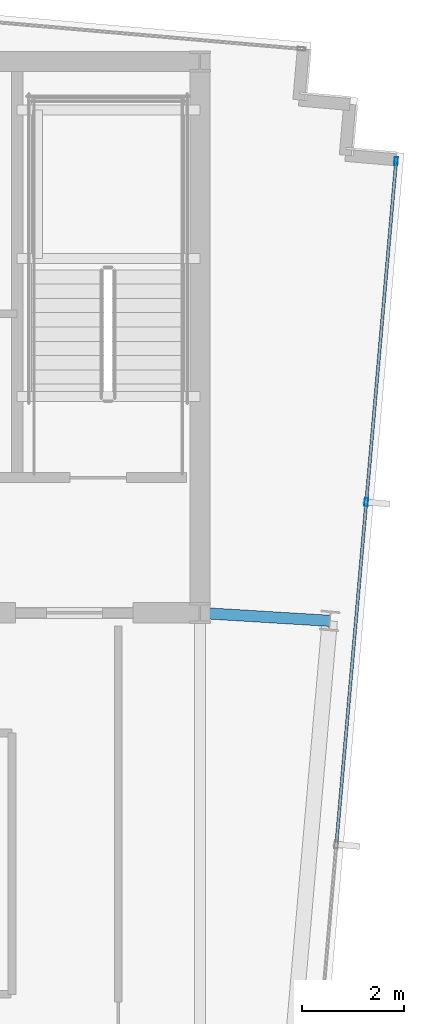
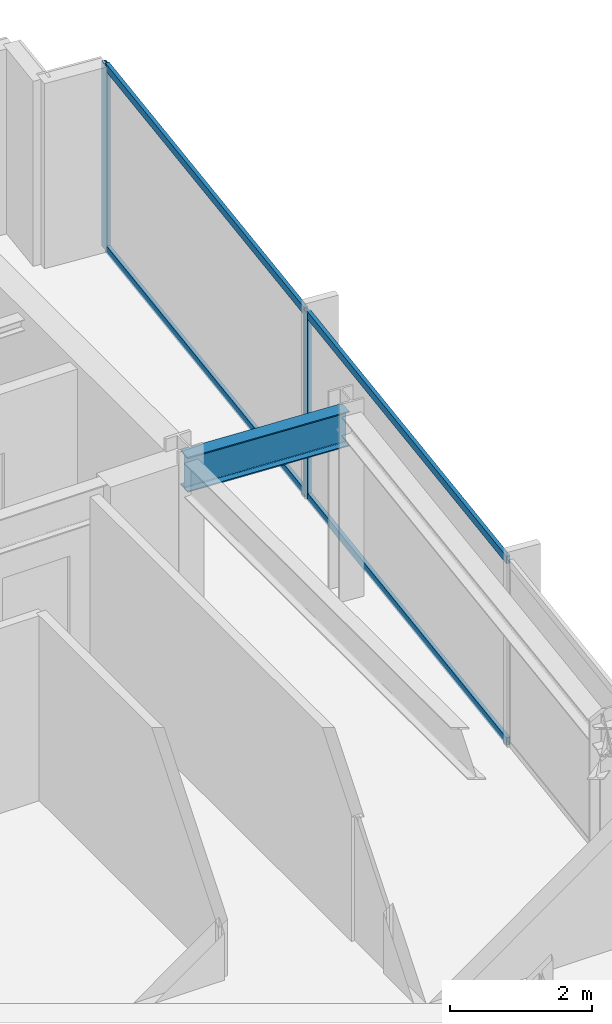
# One storey, part 21 of 32: 6 members, 1 beam, 1 element without a shape of its own.
"""IFC4 building model written with IfcOpenShell, lengths in metres."""

from ifc_helpers import new_model, si_unit, direction, frame, origin, origin_2d, place, context, subcontext, project, spatial, hollow_rectangle, i_section, extrude, material, material_profile, profile_set, type_object, element, aggregate, save


model = new_model("IFC4")

# Units and contexts
model_context = context("Model", 3, precision=1e-05, world=origin(), true_north=direction((0.0, 1.0)))
body_context = subcontext(model_context, "Body", "Model", "MODEL_VIEW")
ifc_project = project(units=[si_unit("LENGTHUNIT", "METRE"), si_unit("AREAUNIT", "SQUARE_METRE"), si_unit("VOLUMEUNIT", "CUBIC_METRE"), si_unit("PLANEANGLEUNIT", "RADIAN"), si_unit("MASSUNIT", "GRAM", prefix="KILO")], contexts=[model_context])

# Site, building, storey
site_placement = place(None, origin())
site = spatial("IfcSite", under=ifc_project, at=site_placement, CompositionType="ELEMENT")
building_placement = place(site_placement, origin())
building = spatial("IfcBuilding", under=site, at=building_placement, Name="Yelkora Congress Tower", CompositionType="ELEMENT")
storey_placement = place(building_placement, frame((0.0, 0.0, 262.5)))
storey = spatial("IfcBuildingStorey", under=building, at=storey_placement, Name="L73", CompositionType="ELEMENT", Elevation=262.5)

# Beam
ifc_material_1 = material(Name="Steel S355J2", Category="steel")
ifc_material_profile_1 = material_profile(ifc_material_1, i_section(OverallWidth=0.219970703125, OverallDepth=0.60009765625, WebThickness=0.011962890625, FlangeThickness=0.01904296875, FilletRadius=0.02392578125, at=origin_2d()), Name="IPE 600")
ifc_profile_set_1 = profile_set([ifc_material_profile_1], Name="Steel S355J2")
beam_type = type_object("IfcBeamType", Name="BM-GIRD-IPE600", PredefinedType="BEAM", material=ifc_profile_set_1)
beam_placement = place(storey_placement, frame((56.302001953125, 35.24560546875, 2.8798828125), z_axis=(-0.99816287892, 0.060587681471, 0.0), x_axis=(-0.060587681471, -0.99816287892, 0.0)))
element("IfcBeam", 1, at=beam_placement, inside=storey, type_object=beam_type, Name="L73 Primary Frame Girder E02", PredefinedType="BEAM", context=body_context, shape_type="SweptSolid", body=[
    extrude(i_section(OverallWidth=0.219970703125, OverallDepth=0.60009765625, WebThickness=0.011962890625, FlangeThickness=0.01904296875, FilletRadius=0.02392578125, at=origin_2d()), origin(), (0.0, 0.0, 1.0), 2.546630859375),
])

# Curtain wall, members
ifc_material_2 = material(Name="Anodised aluminium and insulated glass", Category="aluminium")
curtain_wall_type = type_object("IfcCurtainWallType", Name="CW-SYS-B5", PredefinedType="NOTDEFINED", material=ifc_material_2)
curtain_wall_placement = place(storey_placement, origin())
curtain_wall = element("IfcCurtainWall", 2, at=curtain_wall_placement, inside=storey, type_object=curtain_wall_type, Name="L73 Unitised Curtain Wall 15", PredefinedType="NOTDEFINED")
ifc_material_3 = material(Name="Anodised aluminium 6063-T6", Category="aluminium")
ifc_material_profile_2 = material_profile(ifc_material_3, hollow_rectangle(XDim=0.06494140625, YDim=0.159912109375, WallThickness=0.00390625, at=origin_2d()), Name="ALU 65x160x4")
ifc_profile_set_2 = profile_set([ifc_material_profile_2], Name="Anodised aluminium 6063-T6")
member_type_1 = type_object("IfcMemberType", Name="MEM-ML-B5", PredefinedType="MULLION", material=ifc_profile_set_2)
member_1_placement = place(storey_placement, frame((57.601318359375, 44.243896484375, 0.0), z_axis=(0.0, 0.0, 1.0), x_axis=(0.996194463398, -0.087158425264, 0.0)))
member_1 = element("IfcMember", 3, at=member_1_placement, type_object=member_type_1, Name="CW-B5 mullion 1", PredefinedType="MULLION", context=body_context, shape_type="SweptSolid", body=[
    extrude(hollow_rectangle(XDim=0.06494140625, YDim=0.159912109375, WallThickness=0.00390625, at=origin_2d()), origin(), (0.0, 0.0, 1.0), 3.179931640625),
])
member_2_placement = place(storey_placement, frame((57.017578125, 37.572021484375, 0.0), z_axis=(0.0, 0.0, 1.0), x_axis=(0.996194463398, -0.087158425264, 0.0)))
member_2 = element("IfcMember", 4, at=member_2_placement, type_object=member_type_1, Name="CW-B5 mullion 2", PredefinedType="MULLION", context=body_context, shape_type="SweptSolid", body=[
    extrude(hollow_rectangle(XDim=0.06494140625, YDim=0.159912109375, WallThickness=0.00390625, at=origin_2d()), origin(), (0.0, 0.0, 1.0), 3.179931640625),
])
ifc_material_profile_3 = material_profile(ifc_material_3, hollow_rectangle(XDim=0.06005859375, YDim=0.1298828125, WallThickness=0.00390625, at=origin_2d()), Name="ALU 60x130x4")
ifc_profile_set_3 = profile_set([ifc_material_profile_3], Name="Anodised aluminium 6063-T6")
member_type_2 = type_object("IfcMemberType", Name="MEM-TR-B5", PredefinedType="USERDEFINED", material=ifc_profile_set_3)
member_3_placement = place(storey_placement, frame((57.598388671875, 44.21142578125, 0.030029296875), z_axis=(-0.08716649365, -0.996193757451, 0.0), x_axis=(0.996193757451, -0.08716649365, 0.0)))
member_3 = element("IfcMember", 5, at=member_3_placement, type_object=member_type_2, Name="CW-B5 transom 1.1", ObjectType="TRANSOM", PredefinedType="USERDEFINED", context=body_context, shape_type="SweptSolid", body=[
    extrude(hollow_rectangle(XDim=0.06005859375, YDim=0.1298828125, WallThickness=0.00390625, at=origin_2d()), origin(), (0.0, 0.0, 1.0), 6.63232421875),
])
member_4_placement = place(storey_placement, frame((57.598388671875, 44.21142578125, 3.14990234375), z_axis=(-0.08716649365, -0.996193757451, 0.0), x_axis=(0.996193757451, -0.08716649365, 0.0)))
member_4 = element("IfcMember", 6, at=member_4_placement, type_object=member_type_2, Name="CW-B5 transom 1.2", ObjectType="TRANSOM", PredefinedType="USERDEFINED", context=body_context, shape_type="SweptSolid", body=[
    extrude(hollow_rectangle(XDim=0.06005859375, YDim=0.1298828125, WallThickness=0.00390625, at=origin_2d()), origin(), (0.0, 0.0, 1.0), 6.63232421875),
])
member_5_placement = place(storey_placement, frame((57.0146484375, 37.53955078125, 0.030029296875), z_axis=(-0.087143321513, -0.996195784731, 0.0), x_axis=(0.996195784731, -0.087143321513, 0.0)))
member_5 = element("IfcMember", 7, at=member_5_placement, type_object=member_type_2, Name="CW-B5 transom 2.1", ObjectType="TRANSOM", PredefinedType="USERDEFINED", context=body_context, shape_type="SweptSolid", body=[
    extrude(hollow_rectangle(XDim=0.06005859375, YDim=0.1298828125, WallThickness=0.00390625, at=origin_2d()), origin(), (0.0, 0.0, 1.0), 6.6650390625),
])
member_6_placement = place(storey_placement, frame((57.0146484375, 37.53955078125, 3.14990234375), z_axis=(-0.087143321513, -0.996195784731, 0.0), x_axis=(0.996195784731, -0.087143321513, 0.0)))
member_6 = element("IfcMember", 8, at=member_6_placement, type_object=member_type_2, Name="CW-B5 transom 2.2", ObjectType="TRANSOM", PredefinedType="USERDEFINED", context=body_context, shape_type="SweptSolid", body=[
    extrude(hollow_rectangle(XDim=0.06005859375, YDim=0.1298828125, WallThickness=0.00390625, at=origin_2d()), origin(), (0.0, 0.0, 1.0), 6.6650390625),
])
aggregate(curtain_wall, [member_1, member_2, member_3, member_4, member_5, member_6])

save(model, "model.ifc")
